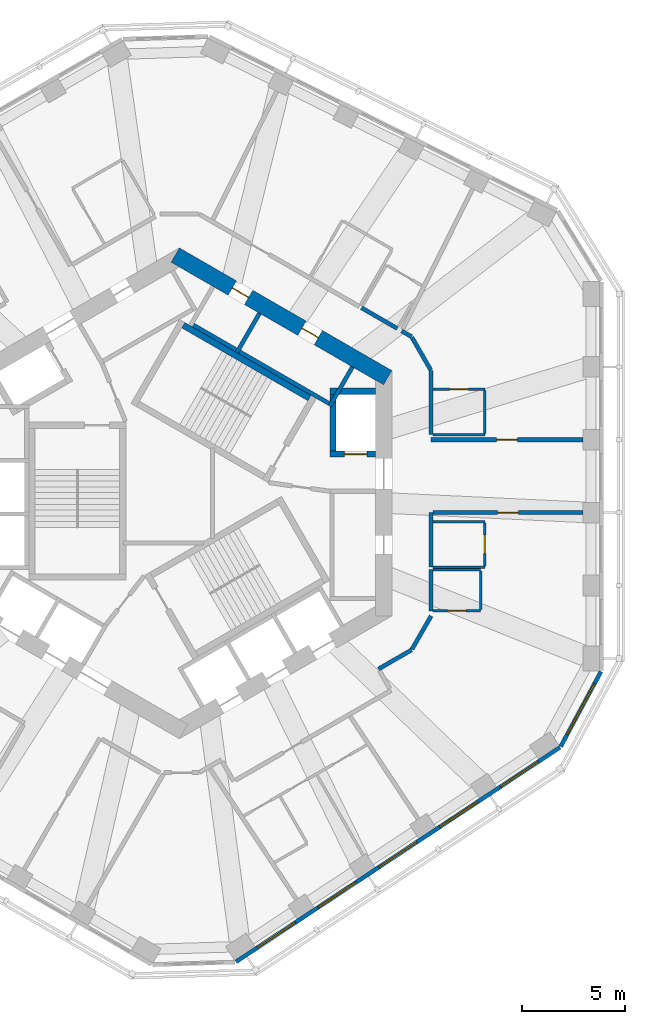
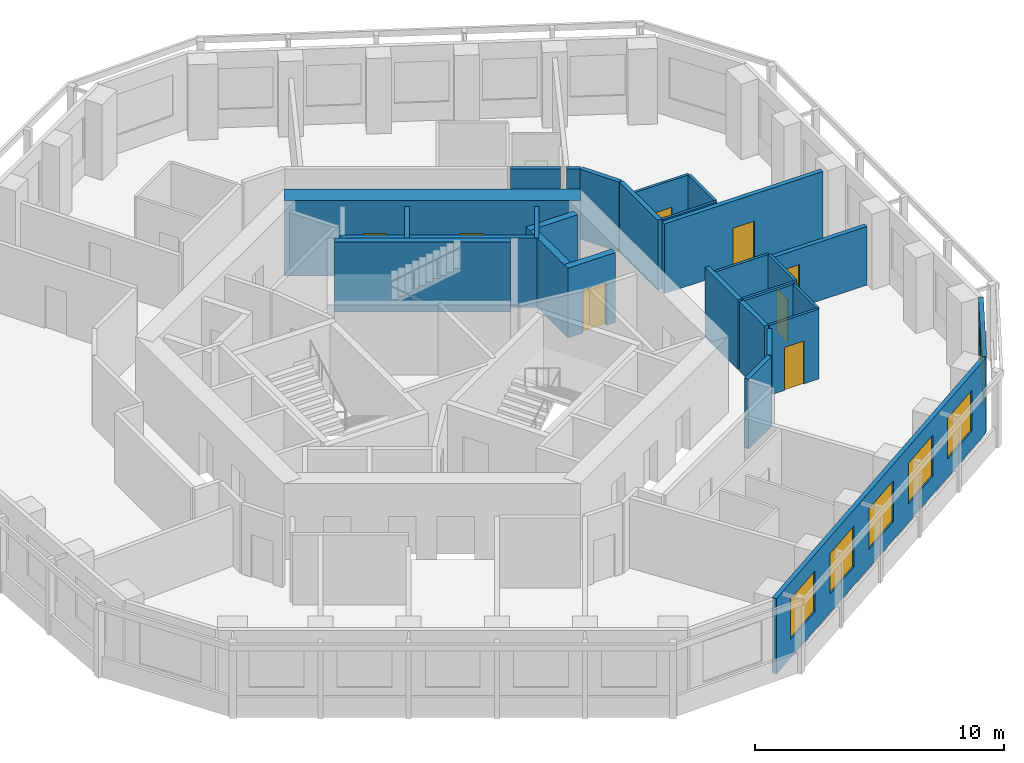
# One storey, part 6 of 11: 29 walls, 8 doors, 6 windows, 14 openings.
"""IFC4 building model written with IfcOpenShell, lengths in metres."""

import ifcopenshell
import ifcopenshell.guid

model = None  # the IFC model being written
_history = None  # IfcOwnerHistory: only IFC2X3 demands one
_inside = {}  # id of a spatial element -> (the spatial element, [elements in it])
_under = {}  # id of a project, library or spatial element -> (it, [spatial elements below it])
_declared = {}  # id of a project -> (the project, [libraries it declares])
_typed = {}  # id of a type object -> (the type object, [elements of that type])
_made_of = {}  # id of a material, layer set ... -> (it, [elements and type objects made of it])


def new_model(schema):
    """Start an empty IFC model of exactly this schema.

    Asked for "IFC4X3", IfcOpenShell would pick the latest addendum, in which some entities
    have other attributes; the version numbers below select the first issue.
    IFC2X3 requires an IfcOwnerHistory on every rooted entity: one is made here for all.
    """
    global model, _history
    if schema == "IFC4X3":
        model = ifcopenshell.file(schema_version=(4, 3, 0, 0))
    else:
        model = ifcopenshell.file(schema=schema)
    _inside.clear()
    _under.clear()
    _declared.clear()
    _typed.clear()
    _made_of.clear()
    _history = None
    if model.schema == "IFC2X3":
        org = make("IfcOrganization", Name="unknown")
        user = make(
            "IfcPersonAndOrganization",
            ThePerson=make("IfcPerson", FamilyName="unknown"),
            TheOrganization=org,
        )
        app = make(
            "IfcApplication",
            ApplicationDeveloper=org,
            Version="unknown",
            ApplicationFullName="unknown",
            ApplicationIdentifier="unknown",
        )
        _history = make(
            "IfcOwnerHistory",
            OwningUser=user,
            OwningApplication=app,
            ChangeAction="ADDED",
            CreationDate=0,
        )
    return model


def make(cls, **values):
    """One entity of the class cls with the attributes given. An attribute that is None is left unset."""
    return model.create_entity(
        cls, **{name: value for name, value in values.items() if value is not None}
    )


def rooted(cls, **values):
    """An entity with a GlobalId (a new one), such as an element, a storey or a relation."""
    return make(cls, GlobalId=ifcopenshell.guid.new(), OwnerHistory=_history, **values)


def si_unit(unit_type, name, prefix=None):
    """IfcSIUnit, for example si_unit("LENGTHUNIT", "METRE", prefix="MILLI")."""
    return make("IfcSIUnit", UnitType=unit_type, Prefix=prefix, Name=name)


def assignment(units):
    """IfcUnitAssignment: the units of a project."""
    return None if units is None else make("IfcUnitAssignment", Units=units)


def point(xyz):
    """IfcCartesianPoint."""
    return None if xyz is None else make("IfcCartesianPoint", Coordinates=xyz)


def direction(xyz):
    """IfcDirection."""
    return None if xyz is None else make("IfcDirection", DirectionRatios=xyz)


def frame(location, z_axis=None, x_axis=None):
    """IfcAxis2Placement3D, a coordinate frame: its origin and axes. An axis left out is left unset."""
    return make(
        "IfcAxis2Placement3D",
        Location=point(location),
        Axis=direction(z_axis),
        RefDirection=direction(x_axis),
    )


def frame_2d(location, x_axis=None):
    """IfcAxis2Placement2D, a coordinate frame in the plane: its origin and x axis."""
    return make(
        "IfcAxis2Placement2D", Location=point(location), RefDirection=direction(x_axis)
    )


def origin():
    """The frame at (0, 0, 0) with its axes left unset."""
    return frame((0.0, 0.0, 0.0))


def place(relative_to, where):
    """IfcLocalPlacement: puts the frame where relative to a parent placement (None: the world)."""
    return make(
        "IfcLocalPlacement", PlacementRelTo=relative_to, RelativePlacement=where
    )


def context(
    kind, dimensions, precision=None, world=None, true_north=None, identifier=None
):
    """IfcGeometricRepresentationContext, for example the 3D "Model" context."""
    return make(
        "IfcGeometricRepresentationContext",
        ContextIdentifier=identifier,
        ContextType=kind,
        CoordinateSpaceDimension=dimensions,
        Precision=precision,
        WorldCoordinateSystem=world,
        TrueNorth=true_north,
    )


def subcontext(parent, identifier, kind, view, scale=None):
    """IfcGeometricRepresentationSubContext, for example "Body" below "Model"."""
    return make(
        "IfcGeometricRepresentationSubContext",
        ContextIdentifier=identifier,
        ContextType=kind,
        ParentContext=parent,
        TargetScale=scale,
        TargetView=view,
    )


def project(units=None, contexts=None):
    """IfcProject with its units and contexts."""
    return rooted(
        "IfcProject",
        Name="project",
        RepresentationContexts=contexts,
        UnitsInContext=assignment(units),
    )


def spatial(cls, under=None, at=None, **own):
    """A site, building, storey or space (cls), placed at a placement, below another one or the project."""
    s = rooted(cls, ObjectPlacement=at, **own)
    if under is not None:
        _under.setdefault(under.id(), (under, []))[1].append(s)
    return s


def profile(cls, at=None, kind="AREA", **sizes):
    """A parametric profile (cls). Its sizes go by their IFC names, for example OverallWidth=200.0."""
    return make(cls, ProfileType=kind, Position=at, **sizes)


def rectangle(**sizes):
    """IfcRectangleProfileDef."""
    return profile("IfcRectangleProfileDef", **sizes)


def extrude(swept, where, along, depth):
    """IfcExtrudedAreaSolid: the profile swept, set in the frame where, extruded along a direction by depth."""
    return make(
        "IfcExtrudedAreaSolid",
        SweptArea=swept,
        Position=where,
        ExtrudedDirection=direction(along),
        Depth=depth,
    )


def shape(context_of_items, identifier, shape_type, items):
    """IfcShapeRepresentation: the items that make up one representation, for example the "Body"."""
    return make(
        "IfcShapeRepresentation",
        ContextOfItems=context_of_items,
        RepresentationIdentifier=identifier,
        RepresentationType=shape_type,
        Items=items,
    )


def material(Name=None, Category=None):
    """IfcMaterial."""
    return make("IfcMaterial", Name=Name, Category=Category)


def layer(
    of_material, thickness, ventilated=None, Name=None, Category=None, Priority=None
):
    """IfcMaterialLayer: one layer of a wall or slab, of a material (None: an air gap)."""
    return make(
        "IfcMaterialLayer",
        Material=of_material,
        LayerThickness=thickness,
        IsVentilated=ventilated,
        Name=Name,
        Category=Category,
        Priority=Priority,
    )


def layer_set(layers, Name=None):
    """IfcMaterialLayerSet."""
    return make("IfcMaterialLayerSet", MaterialLayers=layers, LayerSetName=Name)


def made_of(thing, what):
    """Note that an element or type object is made of a material, layer set ...; save() writes the relation."""
    if what is not None:
        _made_of.setdefault(what.id(), (what, []))[1].append(thing)
    return thing


def type_object(cls, material=None, **own):
    """A type object (cls), such as IfcWallType, which elements share."""
    return made_of(rooted(cls, **own), material)


def element(
    cls,
    number,
    at=None,
    inside=None,
    cuts=None,
    type_object=None,
    material=None,
    context=None,
    identifier="Body",
    shape_type=None,
    held_by="IfcProductDefinitionShape",
    body=None,
    shapes=None,
    **own,
):
    """One element of the class cls, such as IfcWall. Its Tag is "e" and its number.

    at: its placement. inside: the storey or other place that contains it. cuts: it is an
    opening in that element (IfcRelVoidsElement). A single representation is given by context,
    identifier, shape_type and body (its items); several are given by shapes. held_by: the class
    of the entity that holds the representations. save() writes the other relations.
    """
    e = rooted(cls, Tag="e%d" % number, ObjectPlacement=at, **own)
    if body is not None:
        shapes = [shape(context, identifier, shape_type, body)]
    if shapes is not None:
        e.Representation = make(held_by, Representations=shapes)
    if inside is not None:
        _inside.setdefault(inside.id(), (inside, []))[1].append(e)
    if cuts is not None:
        rooted(
            "IfcRelVoidsElement", RelatingBuildingElement=cuts, RelatedOpeningElement=e
        )
    if type_object is not None:
        _typed.setdefault(type_object.id(), (type_object, []))[1].append(e)
    return made_of(e, material)


def fill(opening, filler):
    """IfcRelFillsElement: the door or window that sits in an opening."""
    return rooted(
        "IfcRelFillsElement",
        RelatingOpeningElement=opening,
        RelatedBuildingElement=filler,
    )


def aggregate(whole, parts):
    """IfcRelAggregates: a whole, such as a stair, and the parts it consists of."""
    return rooted("IfcRelAggregates", RelatingObject=whole, RelatedObjects=parts)


def save(model, path):
    """Write the relations noted so far, then the file.

    IfcRelAggregates (storeys below a building ...), IfcRelContainedInSpatialStructure (elements
    in a storey), IfcRelDefinesByType, IfcRelAssociatesMaterial and IfcRelDeclares: one each for
    every whole, place, type object, material and project.
    """
    for whole, parts in _under.values():
        aggregate(whole, parts)
    for where, things in _inside.values():
        rooted(
            "IfcRelContainedInSpatialStructure",
            RelatedElements=things,
            RelatingStructure=where,
        )
    for kind, things in _typed.values():
        rooted("IfcRelDefinesByType", RelatedObjects=things, RelatingType=kind)
    for what, things in _made_of.values():
        rooted("IfcRelAssociatesMaterial", RelatedObjects=things, RelatingMaterial=what)
    for by, libraries in _declared.values():
        rooted("IfcRelDeclares", RelatingContext=by, RelatedDefinitions=libraries)
    model.write(path)


model = new_model("IFC4")

# Units and contexts
model_context = context("Model", 3, precision=1e-05, world=origin(), true_north=direction((0.0, 1.0)))
body_context = subcontext(model_context, "Body", "Model", "MODEL_VIEW")
ifc_project = project(units=[si_unit("LENGTHUNIT", "METRE"), si_unit("AREAUNIT", "SQUARE_METRE"), si_unit("VOLUMEUNIT", "CUBIC_METRE"), si_unit("PLANEANGLEUNIT", "RADIAN"), si_unit("MASSUNIT", "GRAM", prefix="KILO")], contexts=[model_context])

# Site, building, storey
site_placement = place(None, origin())
site = spatial("IfcSite", under=ifc_project, at=site_placement, CompositionType="ELEMENT")
building_placement = place(site_placement, origin())
building = spatial("IfcBuilding", under=site, at=building_placement, Name="Vanh Sen Convention Tower", CompositionType="ELEMENT")
storey_placement = place(building_placement, frame((0.0, 0.0, 225.39990234375)))
storey = spatial("IfcBuildingStorey", under=building, at=storey_placement, Name="L55", CompositionType="ELEMENT", Elevation=225.39990234375)

# Walls
ifc_material_1 = material(Name="Moisture-resistant gypsum board on steel studs", Category="steel")
ifc_layer_1 = layer(ifc_material_1, 0.1201171875)
ifc_layer_set_1 = layer_set([ifc_layer_1], Name="Moisture-resistant gypsum board on steel studs")
wall_type_1 = type_object("IfcWallType", Name="Bathroom partition 120", PredefinedType="PARTITIONING", material=ifc_layer_set_1)
wall_1_placement = place(storey_placement, frame((12.300048828125, -3.69677734375, 0.0), z_axis=(0.0, 0.0, 1.0), x_axis=(1.0, 0.0, 0.0)))
element("IfcWall", 1, at=wall_1_placement, inside=storey, type_object=wall_type_1, Name="Bathroom partition 120", PredefinedType="PARTITIONING", context=body_context, shape_type="SweptSolid", body=[
    extrude(rectangle(XDim=2.300048828125, YDim=0.1201171875, at=frame_2d((1.14990234375, 0.0))), origin(), (0.0, 0.0, 1.0), 3.420166015625),
])
wall_2_placement = place(storey_placement, frame((12.300048828125, -1.376708984375, 0.0), z_axis=(0.0, 0.0, 1.0), x_axis=(1.0, 0.0, 0.0)))
element("IfcWall", 2, at=wall_2_placement, inside=storey, type_object=wall_type_1, Name="Bathroom partition 120", PredefinedType="PARTITIONING", context=body_context, shape_type="SweptSolid", body=[
    extrude(rectangle(XDim=2.5, YDim=0.1201171875, at=frame_2d((1.25, 0.0))), origin(), (0.0, 0.0, 1.0), 3.420166015625),
])

# Wall, opening, door
wall_3_placement = place(storey_placement, frame((12.300048828125, 5.048095703125, 0.0), z_axis=(0.0, 0.0, 1.0), x_axis=(1.0, 0.0, 0.0)))
wall_3 = element("IfcWall", 3, at=wall_3_placement, inside=storey, type_object=wall_type_1, Name="Bathroom partition 120", PredefinedType="PARTITIONING", context=body_context, shape_type="SweptSolid", body=[
    extrude(rectangle(XDim=2.5, YDim=0.1201171875, at=frame_2d((1.25, 0.0))), origin(), (0.0, 0.0, 1.0), 3.420166015625),
])
opening_1_placement = place(wall_3_placement, frame((0.800048828125, 0.0, 0.0)))
opening_1 = element("IfcOpeningElement", 4, at=opening_1_placement, cuts=wall_3, Name="Opening D52102", PredefinedType="OPENING", context=body_context, shape_type="SweptSolid", body=[
    extrude(rectangle(XDim=0.89990234375, YDim=2.10009765625, at=frame_2d((0.449951171875, 1.050048828125))), frame((0.0, 0.070068359375, 0.0), z_axis=(0.0, -1.0, 0.0), x_axis=(1.0, 0.0, 0.0)), (0.0, 0.0, 1.0), 0.14013671875),
])
ifc_material_2 = material(Name="Laminate door in steel frame", Category="steel")
door_type_1 = type_object("IfcDoorType", Name="Room internal door 900", OperationType="SINGLE_SWING_LEFT", PredefinedType="DOOR", material=ifc_material_2)
door_1_placement = place(opening_1_placement, origin())
door_1 = element("IfcDoor", 5, at=door_1_placement, inside=storey, type_object=door_type_1, Name="Internal room door D52102", OperationType="SINGLE_SWING_LEFT", OverallHeight=2.10009765625, OverallWidth=0.89990234375, PredefinedType="DOOR", context=body_context, shape_type="SweptSolid", body=[
    extrude(rectangle(XDim=0.89990234375, YDim=2.10009765625, at=frame_2d((0.449951171875, 1.050048828125))), frame((0.0, 0.02490234375, 0.0), z_axis=(0.0, -1.0, 0.0), x_axis=(1.0, 0.0, 0.0)), (0.0, 0.0, 1.0), 0.050048828125),
])
fill(opening_1, door_1)

wall_4_placement = place(storey_placement, frame((14.60009765625, -5.69677734375, 0.0), z_axis=(0.0, 0.0, 1.0), x_axis=(-1.0, 0.0, 0.0)))
wall_4 = element("IfcWall", 6, at=wall_4_placement, inside=storey, type_object=wall_type_1, Name="Bathroom partition 120", PredefinedType="PARTITIONING", context=body_context, shape_type="SweptSolid", body=[
    extrude(rectangle(XDim=2.300048828125, YDim=0.1201171875, at=frame_2d((1.14990234375, 0.0))), origin(), (0.0, 0.0, 1.0), 3.420166015625),
])
opening_2_placement = place(wall_4_placement, frame((0.699951171875, 0.0, 0.0)))
opening_2 = element("IfcOpeningElement", 7, at=opening_2_placement, cuts=wall_4, Name="Opening D52118", PredefinedType="OPENING", context=body_context, shape_type="SweptSolid", body=[
    extrude(rectangle(XDim=0.89990234375, YDim=2.10009765625, at=frame_2d((0.449951171875, 1.050048828125))), frame((0.0, 0.070068359375, 0.0), z_axis=(0.0, -1.0, 0.0), x_axis=(1.0, 0.0, 0.0)), (0.0, 0.0, 1.0), 0.14013671875),
])
door_2_placement = place(opening_2_placement, origin())
door_2 = element("IfcDoor", 8, at=door_2_placement, inside=storey, type_object=door_type_1, Name="Internal room door D52118", OperationType="SINGLE_SWING_LEFT", OverallHeight=2.10009765625, OverallWidth=0.89990234375, PredefinedType="DOOR", context=body_context, shape_type="SweptSolid", body=[
    extrude(rectangle(XDim=0.89990234375, YDim=2.10009765625, at=frame_2d((0.449951171875, 1.050048828125))), frame((0.0, 0.02490234375, 0.0), z_axis=(0.0, -1.0, 0.0), x_axis=(1.0, 0.0, 0.0)), (0.0, 0.0, 1.0), 0.050048828125),
])
fill(opening_2, door_2)

# Walls
wall_5_placement = place(storey_placement, frame((14.60009765625, -3.756591796875, 0.0), z_axis=(0.0, 0.0, 1.0), x_axis=(0.0, -1.0, 0.0)))
element("IfcWall", 9, at=wall_5_placement, inside=storey, type_object=wall_type_1, Name="Bathroom partition 120", PredefinedType="PARTITIONING", context=body_context, shape_type="SweptSolid", body=[
    extrude(rectangle(XDim=1.880126953125, YDim=0.1201171875, at=frame_2d((0.93994140625, 0.0))), origin(), (0.0, 0.0, 1.0), 3.420166015625),
])
wall_6_placement = place(storey_placement, frame((14.800048828125, -3.57666015625, 0.0), z_axis=(0.0, 0.0, 1.0), x_axis=(-1.0, 0.0, 0.0)))
element("IfcWall", 10, at=wall_6_placement, inside=storey, type_object=wall_type_1, Name="Bathroom partition 120", PredefinedType="PARTITIONING", context=body_context, shape_type="SweptSolid", body=[
    extrude(rectangle(XDim=2.5, YDim=0.1201171875, at=frame_2d((1.25, 0.0))), origin(), (0.0, 0.0, 1.0), 3.420166015625),
])

# Wall, opening, door
wall_7_placement = place(storey_placement, frame((14.800048828125, -1.436767578125, 0.0), z_axis=(0.0, 0.0, 1.0), x_axis=(0.0, -1.0, 0.0)))
wall_7 = element("IfcWall", 11, at=wall_7_placement, inside=storey, type_object=wall_type_1, Name="Bathroom partition 120", PredefinedType="PARTITIONING", context=body_context, shape_type="SweptSolid", body=[
    extrude(rectangle(XDim=2.079833984375, YDim=0.1201171875, at=frame_2d((1.0400390625, 0.0))), origin(), (0.0, 0.0, 1.0), 3.420166015625),
])
opening_3_placement = place(wall_7_placement, frame((0.590087890625, 0.0, 0.0)))
opening_3 = element("IfcOpeningElement", 12, at=opening_3_placement, cuts=wall_7, Name="Opening D52119", PredefinedType="OPENING", context=body_context, shape_type="SweptSolid", body=[
    extrude(rectangle(XDim=0.89990234375, YDim=2.10009765625, at=frame_2d((0.449951171875, 1.050048828125))), frame((0.0, 0.070068359375, 0.0), z_axis=(0.0, -1.0, 0.0), x_axis=(1.0, 0.0, 0.0)), (0.0, 0.0, 1.0), 0.14013671875),
])
door_3_placement = place(opening_3_placement, origin())
door_3 = element("IfcDoor", 13, at=door_3_placement, inside=storey, type_object=door_type_1, Name="Internal room door D52119", OperationType="SINGLE_SWING_LEFT", OverallHeight=2.10009765625, OverallWidth=0.89990234375, PredefinedType="DOOR", context=body_context, shape_type="SweptSolid", body=[
    extrude(rectangle(XDim=0.89990234375, YDim=2.10009765625, at=frame_2d((0.449951171875, 1.050048828125))), frame((0.0, 0.02490234375, 0.0), z_axis=(0.0, -1.0, 0.0), x_axis=(1.0, 0.0, 0.0)), (0.0, 0.0, 1.0), 0.050048828125),
])
fill(opening_3, door_3)

# Walls
wall_8_placement = place(storey_placement, frame((14.800048828125, 2.84814453125, 0.0), z_axis=(0.0, 0.0, 1.0), x_axis=(-1.0, 0.0, 0.0)))
element("IfcWall", 14, at=wall_8_placement, inside=storey, type_object=wall_type_1, Name="Bathroom partition 120", PredefinedType="PARTITIONING", context=body_context, shape_type="SweptSolid", body=[
    extrude(rectangle(XDim=2.5, YDim=0.1201171875, at=frame_2d((1.25, 0.0))), origin(), (0.0, 0.0, 1.0), 3.420166015625),
])
wall_9_placement = place(storey_placement, frame((14.800048828125, 4.988037109375, 0.0), z_axis=(0.0, 0.0, 1.0), x_axis=(0.0, -1.0, 0.0)))
element("IfcWall", 15, at=wall_9_placement, inside=storey, type_object=wall_type_1, Name="Bathroom partition 120", PredefinedType="PARTITIONING", context=body_context, shape_type="SweptSolid", body=[
    extrude(rectangle(XDim=2.079833984375, YDim=0.1201171875, at=frame_2d((1.0400390625, 0.0))), origin(), (0.0, 0.0, 1.0), 3.420166015625),
])

# Wall, openings, doors
ifc_material_3 = material(Name="Concrete C60/75", Category="concrete")
ifc_layer_2 = layer(ifc_material_3, 0.800048828125)
ifc_layer_set_2 = layer_set([ifc_layer_2], Name="Concrete C60/75")
wall_type_2 = type_object("IfcWallType", Name="Core outer wall 800 C60/75", PredefinedType="SHEAR", material=ifc_layer_set_2)
wall_10_placement = place(storey_placement, frame((10.10009765625, 5.600341796875, 0.0), z_axis=(0.0, 0.0, 1.0), x_axis=(-0.866023897231, 0.500002609418, 0.0)))
wall_10 = element("IfcWall", 16, at=wall_10_placement, inside=storey, type_object=wall_type_2, Name="Core wall face NE L55", PredefinedType="SHEAR", context=body_context, shape_type="SweptSolid", body=[
    extrude(rectangle(XDim=11.8935546875, YDim=0.800048828125, at=frame_2d((5.94677734375, 0.0))), origin(), (0.0, 0.0, 1.0), 3.7001953125),
])
opening_4_placement = place(wall_10_placement, frame((3.896728515625, 0.0, 0.0)))
opening_4 = element("IfcOpeningElement", 17, at=opening_4_placement, cuts=wall_10, Name="Opening D52011", PredefinedType="OPENING", context=body_context, shape_type="SweptSolid", body=[
    extrude(rectangle(XDim=0.89990234375, YDim=2.10009765625, at=frame_2d((0.449951171875, 1.050048828125))), frame((0.0, 0.409912109375, 0.0), z_axis=(0.0, -1.0, 0.0), x_axis=(1.0, 0.0, 0.0)), (0.0, 0.0, 1.0), 0.820068359375),
])
opening_5_placement = place(wall_10_placement, frame((7.796630859375, 0.0, 0.0)))
opening_5 = element("IfcOpeningElement", 18, at=opening_5_placement, cuts=wall_10, Name="Opening D52012", PredefinedType="OPENING", context=body_context, shape_type="SweptSolid", body=[
    extrude(rectangle(XDim=0.89990234375, YDim=2.10009765625, at=frame_2d((0.449951171875, 1.050048828125))), frame((0.0, 0.409912109375, 0.0), z_axis=(0.0, -1.0, 0.0), x_axis=(1.0, 0.0, 0.0)), (0.0, 0.0, 1.0), 0.820068359375),
])
ifc_material_4 = material(Name="Steel S355", Category="steel")
door_type_2 = type_object("IfcDoorType", Name="Plant door 900", OperationType="SINGLE_SWING_LEFT", PredefinedType="DOOR", material=ifc_material_4)
door_4_placement = place(opening_4_placement, origin())
door_4 = element("IfcDoor", 19, at=door_4_placement, inside=storey, type_object=door_type_2, Name="Plant door D52011", OperationType="SINGLE_SWING_LEFT", OverallHeight=2.10009765625, OverallWidth=0.89990234375, PredefinedType="DOOR", context=body_context, shape_type="SweptSolid", body=[
    extrude(rectangle(XDim=0.89990234375, YDim=2.10009765625, at=frame_2d((0.449951171875, 1.050048828125))), frame((0.0, 0.02490234375, 0.0), z_axis=(0.0, -1.0, 0.0), x_axis=(1.0, 0.0, 0.0)), (0.0, 0.0, 1.0), 0.050048828125),
])
fill(opening_4, door_4)
door_5_placement = place(opening_5_placement, origin())
door_5 = element("IfcDoor", 20, at=door_5_placement, inside=storey, type_object=door_type_2, Name="Plant door D52012", OperationType="SINGLE_SWING_LEFT", OverallHeight=2.10009765625, OverallWidth=0.89990234375, PredefinedType="DOOR", context=body_context, shape_type="SweptSolid", body=[
    extrude(rectangle(XDim=0.89990234375, YDim=2.10009765625, at=frame_2d((0.449951171875, 1.050048828125))), frame((0.0, 0.02490234375, 0.0), z_axis=(0.0, -1.0, 0.0), x_axis=(1.0, 0.0, 0.0)), (0.0, 0.0, 1.0), 0.050048828125),
])
fill(opening_5, door_5)

# Walls
ifc_material_5 = material(Name="Gypsum board on steel studs with mineral wool", Category="steel")
ifc_layer_3 = layer(ifc_material_5, 0.199951171875)
ifc_layer_set_3 = layer_set([ifc_layer_3], Name="Gypsum board on steel studs with mineral wool")
wall_type_3 = type_object("IfcWallType", Name="Corridor partition wall 200", PredefinedType="PARTITIONING", material=ifc_layer_set_3)
wall_11_placement = place(storey_placement, frame((9.651611328125, -8.514892578125, 0.0), z_axis=(0.0, 0.0, 1.0), x_axis=(0.866020375458, 0.500008709215, 0.0)))
element("IfcWall", 21, at=wall_11_placement, inside=storey, type_object=wall_type_3, Name="Corridor partition wall 200", PredefinedType="PARTITIONING", context=body_context, shape_type="SweptSolid", body=[
    extrude(rectangle(XDim=1.845703125, YDim=0.199951171875, at=frame_2d((0.9228515625, 0.0))), origin(), (0.0, 0.0, 1.0), 3.420166015625),
])
wall_12_placement = place(storey_placement, frame((10.5576171875, 7.991943359375, 0.0), z_axis=(0.0, 0.0, 1.0), x_axis=(-0.866041268327, 0.499972520799, 0.0)))
element("IfcWall", 22, at=wall_12_placement, inside=storey, type_object=wall_type_3, Name="Corridor partition wall 200", PredefinedType="PARTITIONING", context=body_context, shape_type="SweptSolid", body=[
    extrude(rectangle(XDim=2.0, YDim=0.199951171875, at=frame_2d((1.0, 0.0))), origin(), (0.0, 0.0, 1.0), 3.420166015625),
])
wall_13_placement = place(storey_placement, frame((11.25, 7.592041015625, 0.0), z_axis=(0.0, 0.0, 1.0), x_axis=(-0.865993292597, 0.500055614084, 0.0)))
element("IfcWall", 23, at=wall_13_placement, inside=storey, type_object=wall_type_3, Name="Corridor partition wall 200", PredefinedType="PARTITIONING", context=body_context, shape_type="SweptSolid", body=[
    extrude(rectangle(XDim=0.5498046875, YDim=0.199951171875, at=frame_2d((0.27490234375, 0.0))), origin(), (0.0, 0.0, 1.0), 3.420166015625),
])
wall_14_placement = place(storey_placement, frame((11.27001953125, -7.5576171875, 0.0), z_axis=(0.0, 0.0, 1.0), x_axis=(0.499964847546, 0.866045698112, 0.0)))
element("IfcWall", 24, at=wall_14_placement, inside=storey, type_object=wall_type_3, Name="Corridor partition wall 200", PredefinedType="PARTITIONING", context=body_context, shape_type="SweptSolid", body=[
    extrude(rectangle(XDim=1.860107421875, YDim=0.199951171875, at=frame_2d((0.93017578125, 0.0))), origin(), (0.0, 0.0, 1.0), 3.420166015625),
])
wall_15_placement = place(storey_placement, frame((12.179931640625, 5.981201171875, 0.0), z_axis=(0.0, 0.0, 1.0), x_axis=(-0.499904359745, 0.86608061467, 0.0)))
element("IfcWall", 25, at=wall_15_placement, inside=storey, type_object=wall_type_3, Name="Corridor partition wall 200", PredefinedType="PARTITIONING", context=body_context, shape_type="SweptSolid", body=[
    extrude(rectangle(XDim=1.820068359375, YDim=0.199951171875, at=frame_2d((0.91015625, 0.0))), origin(), (0.0, 0.0, 1.0), 3.420166015625),
])
wall_16_placement = place(storey_placement, frame((12.199951171875, -5.69677734375, 0.0), z_axis=(0.0, 0.0, 1.0), x_axis=(0.0, 1.0, 0.0)))
element("IfcWall", 26, at=wall_16_placement, inside=storey, type_object=wall_type_3, Name="Corridor partition wall 200", PredefinedType="PARTITIONING", context=body_context, shape_type="SweptSolid", body=[
    extrude(rectangle(XDim=2.0, YDim=0.199951171875, at=frame_2d((1.0, 0.0))), origin(), (0.0, 0.0, 1.0), 3.420166015625),
])
wall_17_placement = place(storey_placement, frame((12.199951171875, -3.57666015625, 0.0), z_axis=(0.0, 0.0, 1.0), x_axis=(0.0, 1.0, 0.0)))
element("IfcWall", 27, at=wall_17_placement, inside=storey, type_object=wall_type_3, Name="Corridor partition wall 200", PredefinedType="PARTITIONING", context=body_context, shape_type="SweptSolid", body=[
    extrude(rectangle(XDim=2.64111328125, YDim=0.199951171875, at=frame_2d((1.320556640625, 0.0))), origin(), (0.0, 0.0, 1.0), 3.420166015625),
])
wall_18_placement = place(storey_placement, frame((12.199951171875, 2.84814453125, 0.0), z_axis=(0.0, 0.0, 1.0), x_axis=(0.0, 1.0, 0.0)))
element("IfcWall", 28, at=wall_18_placement, inside=storey, type_object=wall_type_3, Name="Corridor partition wall 200", PredefinedType="PARTITIONING", context=body_context, shape_type="SweptSolid", body=[
    extrude(rectangle(XDim=3.0986328125, YDim=0.199951171875, at=frame_2d((1.54931640625, 0.0))), origin(), (0.0, 0.0, 1.0), 3.420166015625),
])

# Wall, opening, door
wall_19_placement = place(storey_placement, frame((12.300048828125, -0.935546875, 0.0), z_axis=(0.0, 0.0, 1.0), x_axis=(1.0, 0.0, 0.0)))
wall_19 = element("IfcWall", 29, at=wall_19_placement, inside=storey, type_object=wall_type_3, Name="Corridor partition wall 200", PredefinedType="PARTITIONING", context=body_context, shape_type="SweptSolid", body=[
    extrude(rectangle(XDim=7.25, YDim=0.199951171875, at=frame_2d((3.625, 0.0))), origin(), (0.0, 0.0, 1.0), 2.8701171875),
])
opening_6_placement = place(wall_19_placement, frame((3.125, 0.0, 0.0)))
opening_6 = element("IfcOpeningElement", 30, at=opening_6_placement, cuts=wall_19, Name="Opening D52117", PredefinedType="OPENING", context=body_context, shape_type="SweptSolid", body=[
    extrude(rectangle(XDim=1.0, YDim=2.10009765625, at=frame_2d((0.5, 1.050048828125))), frame((0.0, 0.10986328125, 0.0), z_axis=(0.0, -1.0, 0.0), x_axis=(1.0, 0.0, 0.0)), (0.0, 0.0, 1.0), 0.219970703125),
])
ifc_material_6 = material(Name="Glazed fire door in steel frame", Category="steel")
door_type_3 = type_object("IfcDoorType", Name="Tenant entrance door 1000", OperationType="SINGLE_SWING_LEFT", PredefinedType="DOOR", material=ifc_material_6)
door_6_placement = place(opening_6_placement, origin())
door_6 = element("IfcDoor", 31, at=door_6_placement, inside=storey, type_object=door_type_3, Name="Tenant suite entrance door D52117", OperationType="SINGLE_SWING_LEFT", OverallHeight=2.10009765625, OverallWidth=1.0, PredefinedType="DOOR", context=body_context, shape_type="SweptSolid", body=[
    extrude(rectangle(XDim=1.0, YDim=2.10009765625, at=frame_2d((0.5, 1.050048828125))), frame((0.0, 0.02490234375, 0.0), z_axis=(0.0, -1.0, 0.0), x_axis=(1.0, 0.0, 0.0)), (0.0, 0.0, 1.0), 0.050048828125),
])
fill(opening_6, door_6)

wall_20_placement = place(storey_placement, frame((19.550048828125, 2.59814453125, 0.0), z_axis=(0.0, 0.0, 1.0), x_axis=(-1.0, 0.0, 0.0)))
wall_20 = element("IfcWall", 32, at=wall_20_placement, inside=storey, type_object=wall_type_3, Name="Corridor partition wall 200", PredefinedType="PARTITIONING", context=body_context, shape_type="SweptSolid", body=[
    extrude(rectangle(XDim=7.35009765625, YDim=0.199951171875, at=frame_2d((3.675048828125, 0.0))), origin(), (0.0, 0.0, 1.0), 3.420166015625),
])
opening_7_placement = place(wall_20_placement, frame((3.175048828125, 0.0, 0.0)))
opening_7 = element("IfcOpeningElement", 33, at=opening_7_placement, cuts=wall_20, Name="Opening D52101", PredefinedType="OPENING", context=body_context, shape_type="SweptSolid", body=[
    extrude(rectangle(XDim=1.0, YDim=2.10009765625, at=frame_2d((0.5, 1.050048828125))), frame((0.0, 0.10986328125, 0.0), z_axis=(0.0, -1.0, 0.0), x_axis=(1.0, 0.0, 0.0)), (0.0, 0.0, 1.0), 0.219970703125),
])
door_7_placement = place(opening_7_placement, origin())
door_7 = element("IfcDoor", 34, at=door_7_placement, inside=storey, type_object=door_type_3, Name="Tenant suite entrance door D52101", OperationType="SINGLE_SWING_LEFT", OverallHeight=2.10009765625, OverallWidth=1.0, PredefinedType="DOOR", context=body_context, shape_type="SweptSolid", body=[
    extrude(rectangle(XDim=1.0, YDim=2.10009765625, at=frame_2d((0.5, 1.050048828125))), frame((0.0, 0.02490234375, 0.0), z_axis=(0.0, -1.0, 0.0), x_axis=(1.0, 0.0, 0.0)), (0.0, 0.0, 1.0), 0.050048828125),
])
fill(opening_7, door_7)

# Wall, openings, windows
ifc_material_7 = material(Name="Insulated lightweight infill wall")
ifc_layer_4 = layer(ifc_material_7, 0.199951171875)
ifc_layer_set_4 = layer_set([ifc_layer_4], Name="Insulated lightweight infill wall")
wall_type_4 = type_object("IfcWallType", Name="External wall 200", PredefinedType="STANDARD", material=ifc_layer_set_4)
wall_21_placement = place(storey_placement, frame((2.739013671875, -22.7109375, 0.0), z_axis=(0.0, 0.0, 1.0), x_axis=(0.833885723098, 0.551937134838, 0.0)))
wall_21 = element("IfcWall", 35, at=wall_21_placement, inside=storey, type_object=wall_type_4, Name="External wall SE L55", PredefinedType="STANDARD", context=body_context, shape_type="SweptSolid", body=[
    extrude(rectangle(XDim=18.84130859375, YDim=0.199951171875, at=frame_2d((9.420654296875, 0.0))), origin(), (0.0, 0.0, 1.0), 3.7001953125),
])
opening_8_placement = place(wall_21_placement, frame((1.25244140625, 0.0, 0.89990234375)))
opening_8 = element("IfcOpeningElement", 36, at=opening_8_placement, cuts=wall_21, Name="Opening WO3-SE1", PredefinedType="OPENING", context=body_context, shape_type="SweptSolid", body=[
    extrude(rectangle(XDim=2.199951171875, YDim=2.0, at=frame_2d((1.10009765625, 1.0))), frame((0.0, 0.10986328125, 0.0), z_axis=(0.0, -1.0, 0.0), x_axis=(1.0, 0.0, 0.0)), (0.0, 0.0, 1.0), 0.219970703125),
])
opening_9_placement = place(wall_21_placement, frame((4.7861328125, 0.0, 0.89990234375)))
opening_9 = element("IfcOpeningElement", 37, at=opening_9_placement, cuts=wall_21, Name="Opening WO3-SE2", PredefinedType="OPENING", context=body_context, shape_type="SweptSolid", body=[
    extrude(rectangle(XDim=2.199951171875, YDim=2.0, at=frame_2d((1.10009765625, 1.0))), frame((0.0, 0.10986328125, 0.0), z_axis=(0.0, -1.0, 0.0), x_axis=(1.0, 0.0, 0.0)), (0.0, 0.0, 1.0), 0.219970703125),
])
opening_10_placement = place(wall_21_placement, frame((8.31982421875, 0.0, 0.89990234375)))
opening_10 = element("IfcOpeningElement", 38, at=opening_10_placement, cuts=wall_21, Name="Opening WO3-SE3", PredefinedType="OPENING", context=body_context, shape_type="SweptSolid", body=[
    extrude(rectangle(XDim=2.199951171875, YDim=2.0, at=frame_2d((1.10009765625, 1.0))), frame((0.0, 0.10986328125, 0.0), z_axis=(0.0, -1.0, 0.0), x_axis=(1.0, 0.0, 0.0)), (0.0, 0.0, 1.0), 0.219970703125),
])
opening_11_placement = place(wall_21_placement, frame((11.853515625, 0.0, 0.89990234375)))
opening_11 = element("IfcOpeningElement", 39, at=opening_11_placement, cuts=wall_21, Name="Opening WO3-SE4", PredefinedType="OPENING", context=body_context, shape_type="SweptSolid", body=[
    extrude(rectangle(XDim=2.199951171875, YDim=2.0, at=frame_2d((1.10009765625, 1.0))), frame((0.0, 0.10986328125, 0.0), z_axis=(0.0, -1.0, 0.0), x_axis=(1.0, 0.0, 0.0)), (0.0, 0.0, 1.0), 0.219970703125),
])
opening_12_placement = place(wall_21_placement, frame((15.386962890625, 0.0, 0.89990234375)))
opening_12 = element("IfcOpeningElement", 40, at=opening_12_placement, cuts=wall_21, Name="Opening WO3-SE5", PredefinedType="OPENING", context=body_context, shape_type="SweptSolid", body=[
    extrude(rectangle(XDim=2.199951171875, YDim=2.0, at=frame_2d((1.10009765625, 1.0))), frame((0.0, 0.10986328125, 0.0), z_axis=(0.0, -1.0, 0.0), x_axis=(1.0, 0.0, 0.0)), (0.0, 0.0, 1.0), 0.219970703125),
])
ifc_material_8 = material(Name="Aluminium frame with clear low-emissivity glass", Category="aluminium")
window_type_1 = type_object("IfcWindowType", Name="Office window 2200 x 2000", PartitioningType="SINGLE_PANEL", PredefinedType="WINDOW", material=ifc_material_8)
window_1_placement = place(opening_8_placement, origin())
window_1 = element("IfcWindow", 41, at=window_1_placement, inside=storey, type_object=window_type_1, Name="Window WO3-SE1", OverallHeight=2.0, OverallWidth=2.199951171875, PartitioningType="SINGLE_PANEL", PredefinedType="WINDOW", context=body_context, shape_type="SweptSolid", body=[
    extrude(rectangle(XDim=2.199951171875, YDim=2.0, at=frame_2d((1.10009765625, 1.0))), frame((0.0, 0.030029296875, 0.0), z_axis=(0.0, -1.0, 0.0), x_axis=(1.0, 0.0, 0.0)), (0.0, 0.0, 1.0), 0.06005859375),
])
fill(opening_8, window_1)
window_2_placement = place(opening_9_placement, origin())
window_2 = element("IfcWindow", 42, at=window_2_placement, inside=storey, type_object=window_type_1, Name="Window WO3-SE2", OverallHeight=2.0, OverallWidth=2.199951171875, PartitioningType="SINGLE_PANEL", PredefinedType="WINDOW", context=body_context, shape_type="SweptSolid", body=[
    extrude(rectangle(XDim=2.199951171875, YDim=2.0, at=frame_2d((1.10009765625, 1.0))), frame((0.0, 0.030029296875, 0.0), z_axis=(0.0, -1.0, 0.0), x_axis=(1.0, 0.0, 0.0)), (0.0, 0.0, 1.0), 0.06005859375),
])
fill(opening_9, window_2)
window_3_placement = place(opening_10_placement, origin())
window_3 = element("IfcWindow", 43, at=window_3_placement, inside=storey, type_object=window_type_1, Name="Window WO3-SE3", OverallHeight=2.0, OverallWidth=2.199951171875, PartitioningType="SINGLE_PANEL", PredefinedType="WINDOW", context=body_context, shape_type="SweptSolid", body=[
    extrude(rectangle(XDim=2.199951171875, YDim=2.0, at=frame_2d((1.10009765625, 1.0))), frame((0.0, 0.030029296875, 0.0), z_axis=(0.0, -1.0, 0.0), x_axis=(1.0, 0.0, 0.0)), (0.0, 0.0, 1.0), 0.06005859375),
])
fill(opening_10, window_3)
window_4_placement = place(opening_11_placement, origin())
window_4 = element("IfcWindow", 44, at=window_4_placement, inside=storey, type_object=window_type_1, Name="Window WO3-SE4", OverallHeight=2.0, OverallWidth=2.199951171875, PartitioningType="SINGLE_PANEL", PredefinedType="WINDOW", context=body_context, shape_type="SweptSolid", body=[
    extrude(rectangle(XDim=2.199951171875, YDim=2.0, at=frame_2d((1.10009765625, 1.0))), frame((0.0, 0.030029296875, 0.0), z_axis=(0.0, -1.0, 0.0), x_axis=(1.0, 0.0, 0.0)), (0.0, 0.0, 1.0), 0.06005859375),
])
fill(opening_11, window_4)
window_5_placement = place(opening_12_placement, origin())
window_5 = element("IfcWindow", 45, at=window_5_placement, inside=storey, type_object=window_type_1, Name="Window WO3-SE5", OverallHeight=2.0, OverallWidth=2.199951171875, PartitioningType="SINGLE_PANEL", PredefinedType="WINDOW", context=body_context, shape_type="SweptSolid", body=[
    extrude(rectangle(XDim=2.199951171875, YDim=2.0, at=frame_2d((1.10009765625, 1.0))), frame((0.0, 0.030029296875, 0.0), z_axis=(0.0, -1.0, 0.0), x_axis=(1.0, 0.0, 0.0)), (0.0, 0.0, 1.0), 0.06005859375),
])
fill(opening_12, window_5)

# Wall, opening, window
wall_22_placement = place(storey_placement, frame((18.4833984375, -12.275634765625, 0.0), z_axis=(0.0, 0.0, 1.0), x_axis=(0.473267675015, 0.880918672629, 0.0)))
wall_22 = element("IfcWall", 46, at=wall_22_placement, inside=storey, type_object=wall_type_4, Name="External wall CH6 L55", PredefinedType="STANDARD", context=body_context, shape_type="SweptSolid", body=[
    extrude(rectangle(XDim=4.1298828125, YDim=0.199951171875, at=frame_2d((2.06494140625, 0.0))), origin(), (0.0, 0.0, 1.0), 3.7001953125),
])
opening_13_placement = place(wall_22_placement, frame((0.6650390625, 0.0, 0.89990234375)))
opening_13 = element("IfcOpeningElement", 47, at=opening_13_placement, cuts=wall_22, Name="Opening WO4-CH61", PredefinedType="OPENING", context=body_context, shape_type="SweptSolid", body=[
    extrude(rectangle(XDim=2.800048828125, YDim=2.0, at=frame_2d((1.39990234375, 1.0))), frame((0.0, 0.10986328125, 0.0), z_axis=(0.0, -1.0, 0.0), x_axis=(1.0, 0.0, 0.0)), (0.0, 0.0, 1.0), 0.219970703125),
])
window_type_2 = type_object("IfcWindowType", Name="Office window 2800 x 2000", PartitioningType="SINGLE_PANEL", PredefinedType="WINDOW", material=ifc_material_8)
window_6_placement = place(opening_13_placement, origin())
window_6 = element("IfcWindow", 48, at=window_6_placement, inside=storey, type_object=window_type_2, Name="Window WO4-CH61", OverallHeight=2.0, OverallWidth=2.800048828125, PartitioningType="SINGLE_PANEL", PredefinedType="WINDOW", context=body_context, shape_type="SweptSolid", body=[
    extrude(rectangle(XDim=2.800048828125, YDim=2.0, at=frame_2d((1.39990234375, 1.0))), frame((0.0, 0.030029296875, 0.0), z_axis=(0.0, -1.0, 0.0), x_axis=(1.0, 0.0, 0.0)), (0.0, 0.0, 1.0), 0.06005859375),
])
fill(opening_13, window_6)

# Wall, opening, door
ifc_layer_5 = layer(ifc_material_3, 0.300048828125)
ifc_layer_set_5 = layer_set([ifc_layer_5], Name="Concrete C60/75")
wall_type_5 = type_object("IfcWallType", Name="Fire-fighting lift shaft wall 300", PredefinedType="SHEAR", material=ifc_layer_set_5)
wall_23_placement = place(storey_placement, frame((7.300048828125, 1.89990234375, 0.0), z_axis=(0.0, 0.0, 1.0), x_axis=(1.0, 0.0, 0.0)))
wall_23 = element("IfcWall", 49, at=wall_23_placement, inside=storey, type_object=wall_type_5, Name="Fire-fighting lift shaft wall L55", PredefinedType="SHEAR", context=body_context, shape_type="SweptSolid", body=[
    extrude(rectangle(XDim=2.199951171875, YDim=0.300048828125, at=frame_2d((1.10009765625, 0.0))), origin(), (0.0, 0.0, 1.0), 3.420166015625),
])
opening_14_placement = place(wall_23_placement, frame((0.699951171875, 0.0, 0.0)))
opening_14 = element("IfcOpeningElement", 50, at=opening_14_placement, cuts=wall_23, Name="Opening LD-FF1", PredefinedType="OPENING", context=body_context, shape_type="SweptSolid", body=[
    extrude(rectangle(XDim=1.10009765625, YDim=2.10009765625, at=frame_2d((0.550048828125, 1.050048828125))), frame((0.0, 0.159912109375, 0.0), z_axis=(0.0, -1.0, 0.0), x_axis=(1.0, 0.0, 0.0)), (0.0, 0.0, 1.0), 0.320068359375),
])
ifc_material_9 = material(Name="Stainless steel", Category="steel")
door_type_4 = type_object("IfcDoorType", Name="Fire-fighting lift landing door 1100", OperationType="DOUBLE_DOOR_SLIDING", PredefinedType="DOOR", material=ifc_material_9)
door_8_placement = place(opening_14_placement, origin())
door_8 = element("IfcDoor", 51, at=door_8_placement, inside=storey, type_object=door_type_4, Name="Lift FF1 landing door LD-FF1", OperationType="DOUBLE_DOOR_SLIDING", OverallHeight=2.10009765625, OverallWidth=1.10009765625, PredefinedType="DOOR", context=body_context, shape_type="SweptSolid", body=[
    extrude(rectangle(XDim=1.10009765625, YDim=2.10009765625, at=frame_2d((0.550048828125, 1.050048828125))), frame((0.0, 0.02490234375, 0.0), z_axis=(0.0, -1.0, 0.0), x_axis=(1.0, 0.0, 0.0)), (0.0, 0.0, 1.0), 0.050048828125),
])
fill(opening_14, door_8)

# Walls
wall_24_placement = place(storey_placement, frame((7.449951171875, 1.75, 0.0), z_axis=(0.0, 0.0, 1.0), x_axis=(0.0, 1.0, 0.0)))
element("IfcWall", 52, at=wall_24_placement, inside=storey, type_object=wall_type_5, Name="Fire-fighting lift shaft wall L55", PredefinedType="SHEAR", context=body_context, shape_type="SweptSolid", body=[
    extrude(rectangle(XDim=3.35009765625, YDim=0.300048828125, at=frame_2d((1.675048828125, 0.0))), origin(), (0.0, 0.0, 1.0), 3.420166015625),
])
wall_25_placement = place(storey_placement, frame((7.300048828125, 4.949951171875, 0.0), z_axis=(0.0, 0.0, 1.0), x_axis=(1.0, 0.0, 0.0)))
element("IfcWall", 53, at=wall_25_placement, inside=storey, type_object=wall_type_5, Name="Fire-fighting lift shaft wall L55", PredefinedType="SHEAR", context=body_context, shape_type="SweptSolid", body=[
    extrude(rectangle(XDim=2.199951171875, YDim=0.300048828125, at=frame_2d((1.10009765625, 0.0))), origin(), (0.0, 0.0, 1.0), 3.420166015625),
])
ifc_material_10 = material(Name="Concrete C40/50", Category="concrete")
ifc_layer_6 = layer(ifc_material_10, 0.199951171875)
ifc_layer_set_6 = layer_set([ifc_layer_6], Name="Concrete C40/50")
wall_type_6 = type_object("IfcWallType", Name="Lift shaft wall 200", PredefinedType="PARTITIONING", material=ifc_layer_set_6)
wall_26_placement = place(storey_placement, frame((7.423828125, 4.258544921875, 0.0), z_axis=(0.0, 0.0, 1.0), x_axis=(-0.866026010844, 0.49999894854, 0.0)))
element("IfcWall", 54, at=wall_26_placement, inside=storey, type_object=wall_type_6, Name="Lift shaft wall L55", PredefinedType="PARTITIONING", context=body_context, shape_type="SweptSolid", body=[
    extrude(rectangle(XDim=8.0, YDim=0.199951171875, at=frame_2d((4.0, 0.0))), origin(), (0.0, 0.0, 1.0), 3.420166015625),
])
for number, where, z_axis, x_axis, name in (
    (55, (7.287353515625, 4.221923828125, 0.0), (0.0, 0.0, 1.0), (0.499946605688, 0.86605622881, 0.0), "Lift shaft wall L55"),
    (56, (2.783935546875, 6.822021484375, 0.0), (0.0, 0.0, 1.0), (0.50002983664, 0.866008176907, 0.0), "Lift shaft wall L55"),
):
    element("IfcWall", number, at=place(storey_placement, frame(where, z_axis=z_axis, x_axis=x_axis)), inside=storey, type_object=wall_type_6, Name=name, PredefinedType="PARTITIONING", context=body_context, shape_type="SweptSolid", body=[
        extrude(rectangle(XDim=2.199951171875, YDim=0.199951171875, at=frame_2d((1.10009765625, 0.0))), origin(), (0.0, 0.0, 1.0), 3.420166015625),
    ])
ifc_layer_7 = layer(ifc_material_3, 0.300048828125)
ifc_layer_set_7 = layer_set([ifc_layer_7], Name="Concrete C60/75")
wall_type_7 = type_object("IfcWallType", Name="Stair wall 300", PredefinedType="SHEAR", material=ifc_layer_set_7)
wall_27_placement = place(storey_placement, frame((6.302978515625, 4.6171875, 0.0), z_axis=(0.0, 0.0, 1.0), x_axis=(-0.866027801685, 0.499995846692, 0.0)))
element("IfcWall", 57, at=wall_27_placement, inside=storey, type_object=wall_type_7, Name="Stair wall L55", PredefinedType="SHEAR", context=body_context, shape_type="SweptSolid", body=[
    extrude(rectangle(XDim=7.06005859375, YDim=0.300048828125, at=frame_2d((3.530029296875, 0.0))), origin(), (0.0, 0.0, 1.0), 3.420166015625),
])

save(model, "model.ifc")
